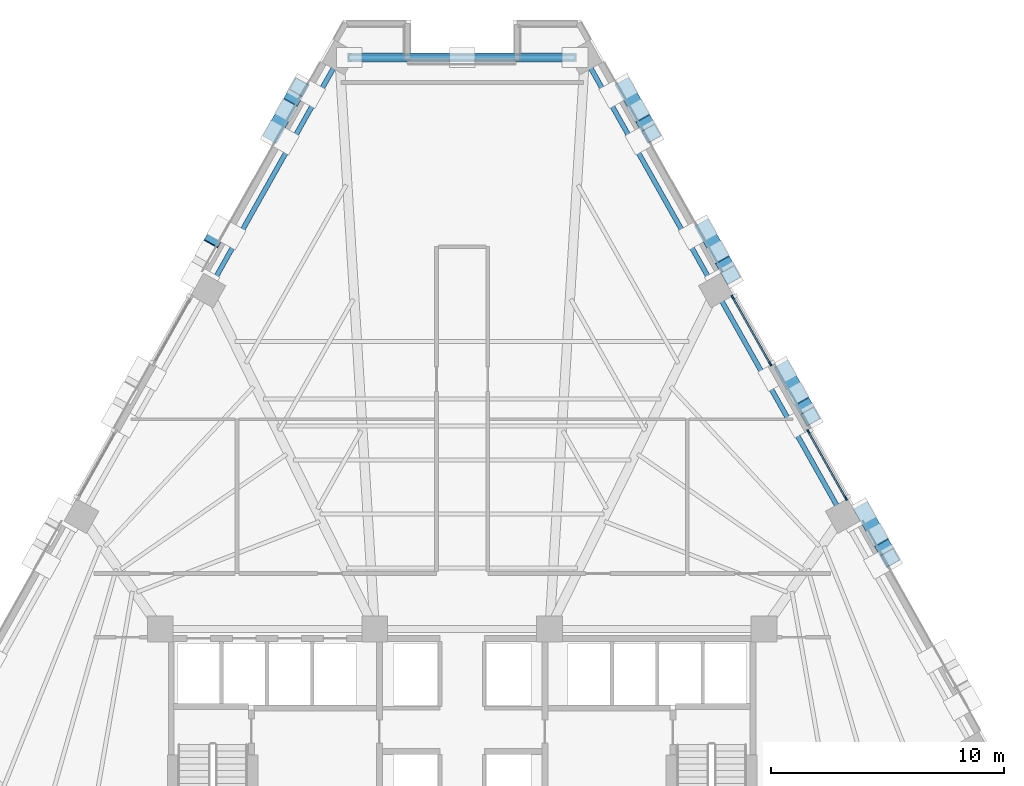
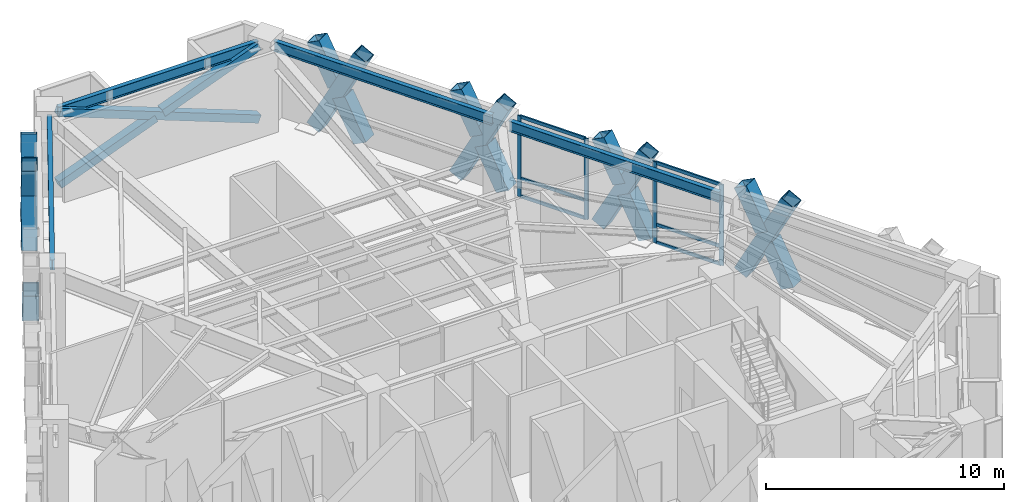
# One storey, part 4 of 12: 29 members, 4 beams, 2 elements without a shape of their own.
"""IFC4 building model written with IfcOpenShell, lengths in metres."""

from ifc_helpers import new_model, si_unit, direction, frame, origin, origin_2d, place, context, subcontext, project, spatial, rectangle, hollow_rectangle, i_section, extrude, material, material_profile, profile_set, type_object, element, aggregate, save


model = new_model("IFC4")

# Units and contexts
model_context = context("Model", 3, precision=1e-05, world=origin(), true_north=direction((0.0, 1.0)))
body_context = subcontext(model_context, "Body", "Model", "MODEL_VIEW")
ifc_project = project(units=[si_unit("LENGTHUNIT", "METRE"), si_unit("AREAUNIT", "SQUARE_METRE"), si_unit("VOLUMEUNIT", "CUBIC_METRE"), si_unit("PLANEANGLEUNIT", "RADIAN"), si_unit("MASSUNIT", "GRAM", prefix="KILO")], contexts=[model_context])

# Site, building, storey
site_placement = place(None, origin())
site = spatial("IfcSite", under=ifc_project, at=site_placement, CompositionType="ELEMENT")
building_placement = place(site_placement, origin())
building = spatial("IfcBuilding", under=site, at=building_placement, Name="Quenlor Broadcast Tower", CompositionType="ELEMENT")
storey_placement = place(building_placement, frame((0.0, 0.0, 90.60009765625)))
storey = spatial("IfcBuildingStorey", under=building, at=storey_placement, Name="L24", CompositionType="ELEMENT", Elevation=90.60009765625)

# Members
ifc_material_1 = material(Name="Steel S355", Category="steel")
ifc_material_profile_1 = material_profile(ifc_material_1, hollow_rectangle(XDim=0.39990234375, YDim=0.39990234375, WallThickness=0.02197265625, at=origin_2d()))
ifc_profile_set_1 = profile_set([ifc_material_profile_1], Name="Steel S355 RHS400x400x22")
member_type_1 = type_object("IfcMemberType", Name="Belt Truss Diagonal Chord Steel S355 RHS400x22", PredefinedType="CHORD", material=ifc_profile_set_1)
member_1_placement = place(storey_placement, frame((4.84228515625, 19.718994140625, 0.199951171875), z_axis=(-0.933179377941, 0.0, 0.359410974493), x_axis=(0.0, -1.0, 0.0)))
element("IfcMember", 1, at=member_1_placement, inside=storey, type_object=member_type_1, Name="L24 Belt Truss Continuous Chord 8A", PredefinedType="CHORD", context=body_context, shape_type="SweptSolid", body=[
    extrude(hollow_rectangle(XDim=0.39990234375, YDim=0.39990234375, WallThickness=0.02197265625, at=origin_2d()), origin(), (0.0, 0.0, 1.0), 10.3779296875),
])
for number, where, z_axis, x_axis, name in (
    (2, (4.84228515625, 19.718994140625, 3.929931640625), (-0.933185659182, 0.0, -0.359394665371), (0.0, -1.0, 0.0), "L24 Belt Truss Split Chord 8B1"),
    (3, (-0.17724609375, 19.718994140625, 1.99658203125), (-0.933185659182, 0.0, -0.359394665371), (0.0, -1.0, 0.0), "L24 Belt Truss Split Chord 8B2"),
):
    element("IfcMember", number, at=place(storey_placement, frame(where, z_axis=z_axis, x_axis=x_axis)), inside=storey, type_object=member_type_1, Name=name, PredefinedType="CHORD", context=body_context, shape_type="SweptSolid", body=[
        extrude(hollow_rectangle(XDim=0.39990234375, YDim=0.39990234375, WallThickness=0.02197265625, at=origin_2d()), origin(), (0.0, 0.0, 1.0), 4.9990234375),
    ])

# Curtain wall, members
ifc_material_2 = material(Name="Architectural Terracotta and Low-E Glazing", Category="masonry")
curtain_wall_type = type_object("IfcCurtainWallType", Name="Unitised Terracotta Curtain Wall System Z2", PredefinedType="NOTDEFINED", material=ifc_material_2)
curtain_wall_1_placement = place(storey_placement, origin())
curtain_wall_1 = element("IfcCurtainWall", 4, at=curtain_wall_1_placement, inside=storey, type_object=curtain_wall_type, Name="L24 Curtain Wall CW2 (L24-NE-G1)", PredefinedType="NOTDEFINED")
ifc_material_3 = material(Name="Aluminium 6063-T6", Category="aluminium")
ifc_material_profile_2 = material_profile(ifc_material_3, rectangle(XDim=0.074951171875, YDim=0.199951171875, at=origin_2d()))
ifc_profile_set_2 = profile_set([ifc_material_profile_2], Name="Aluminium 6063-T6 MULL75x200")
member_type_2 = type_object("IfcMemberType", Name="CW2 Aluminium Mullion MULL_CW2", PredefinedType="MULLION", material=ifc_profile_set_2)
member_2_placement = place(storey_placement, frame((11.611572265625, 9.430419921875, 0.0), z_axis=(0.0, 0.0, 1.0), x_axis=(0.871564359469, 0.490281110491, 0.0)))
member_2 = element("IfcMember", 5, at=member_2_placement, type_object=member_type_2, Name="CW2 mullion 1", PredefinedType="MULLION", context=body_context, shape_type="SweptSolid", body=[
    extrude(rectangle(XDim=0.074951171875, YDim=0.199951171875, at=origin_2d()), origin(), (0.0, 0.0, 1.0), 4.14990234375),
])
member_3_placement = place(storey_placement, frame((13.21484375, 6.58056640625, 0.0), z_axis=(0.0, 0.0, 1.0), x_axis=(0.871564359469, 0.490281110491, 0.0)))
member_3 = element("IfcMember", 6, at=member_3_placement, type_object=member_type_2, Name="CW2 mullion 2", PredefinedType="MULLION", context=body_context, shape_type="SweptSolid", body=[
    extrude(rectangle(XDim=0.074951171875, YDim=0.199951171875, at=origin_2d()), origin(), (0.0, 0.0, 1.0), 4.14990234375),
])

curtain_wall_2_placement = place(storey_placement, origin())
curtain_wall_2 = element("IfcCurtainWall", 7, at=curtain_wall_2_placement, inside=storey, type_object=curtain_wall_type, Name="L24 Curtain Wall CW2 (L24-NE-G2)", PredefinedType="NOTDEFINED")
member_4_placement = place(storey_placement, frame((14.856201171875, 3.66259765625, 0.0), z_axis=(0.0, 0.0, 1.0), x_axis=(0.871577133922, 0.490258400871, 0.0)))
member_4 = element("IfcMember", 8, at=member_4_placement, type_object=member_type_2, Name="CW2 mullion 1", PredefinedType="MULLION", context=body_context, shape_type="SweptSolid", body=[
    extrude(rectangle(XDim=0.074951171875, YDim=0.199951171875, at=origin_2d()), origin(), (0.0, 0.0, 1.0), 4.14990234375),
])
member_5_placement = place(storey_placement, frame((16.459228515625, 0.812744140625, 0.0), z_axis=(0.0, 0.0, 1.0), x_axis=(0.871577133922, 0.490258400871, 0.0)))
member_5 = element("IfcMember", 9, at=member_5_placement, type_object=member_type_2, Name="CW2 mullion 2", PredefinedType="MULLION", context=body_context, shape_type="SweptSolid", body=[
    extrude(rectangle(XDim=0.074951171875, YDim=0.199951171875, at=origin_2d()), origin(), (0.0, 0.0, 1.0), 4.14990234375),
])

# Member
ifc_material_4 = material(Name="Aluminium 6063-T6", Category="aluminium")
ifc_material_profile_3 = material_profile(ifc_material_4, rectangle(XDim=0.074951171875, YDim=0.1650390625, at=origin_2d()))
ifc_profile_set_3 = profile_set([ifc_material_profile_3], Name="Aluminium 6063-T6 TRAN75x165")
member_type_3 = type_object("IfcMemberType", Name="CW2 Aluminium Transom TRAN_CW2", PredefinedType="USERDEFINED", material=ifc_profile_set_3)
member_6_placement = place(storey_placement, frame((11.630126953125, 9.39794921875, 0.037353515625), z_axis=(0.490268495489, -0.871571455665, 0.0), x_axis=(0.871571455665, 0.490268495489, 0.0)))
member_6 = element("IfcMember", 10, at=member_6_placement, type_object=member_type_3, Name="CW2 transom 1.1", ObjectType="TRANSOM", PredefinedType="USERDEFINED", context=body_context, shape_type="SweptSolid", body=[
    extrude(rectangle(XDim=0.074951171875, YDim=0.1650390625, at=origin_2d()), origin(), (0.0, 0.0, 1.0), 3.195068359375),
])

member_7_placement = place(storey_placement, frame((11.630126953125, 9.39794921875, 0.949951171875), z_axis=(0.490268495489, -0.871571455665, 0.0), x_axis=(0.871571455665, 0.490268495489, 0.0)))
member_7 = element("IfcMember", 11, at=member_7_placement, type_object=member_type_3, Name="CW2 transom 1.2", ObjectType="TRANSOM", PredefinedType="USERDEFINED", context=body_context, shape_type="SweptSolid", body=[
    extrude(rectangle(XDim=0.074951171875, YDim=0.1650390625, at=origin_2d()), origin(), (0.0, 0.0, 1.0), 3.195068359375),
])

member_8_placement = place(storey_placement, frame((11.630126953125, 9.39794921875, 4.1123046875), z_axis=(0.490268495489, -0.871571455665, 0.0), x_axis=(0.871571455665, 0.490268495489, 0.0)))
member_8 = element("IfcMember", 12, at=member_8_placement, type_object=member_type_3, Name="CW2 transom 1.3", ObjectType="TRANSOM", PredefinedType="USERDEFINED", context=body_context, shape_type="SweptSolid", body=[
    extrude(rectangle(XDim=0.074951171875, YDim=0.1650390625, at=origin_2d()), origin(), (0.0, 0.0, 1.0), 3.195068359375),
])

aggregate(curtain_wall_1, [member_2, member_3, member_6, member_7, member_8])

member_9_placement = place(storey_placement, frame((14.87451171875, 3.630126953125, 0.037353515625), z_axis=(0.490268495489, -0.871571455665, 0.0), x_axis=(0.871571455665, 0.490268495489, 0.0)))
member_9 = element("IfcMember", 13, at=member_9_placement, type_object=member_type_3, Name="CW2 transom 1.1", ObjectType="TRANSOM", PredefinedType="USERDEFINED", context=body_context, shape_type="SweptSolid", body=[
    extrude(rectangle(XDim=0.074951171875, YDim=0.1650390625, at=origin_2d()), origin(), (0.0, 0.0, 1.0), 3.195068359375),
])

member_10_placement = place(storey_placement, frame((14.87451171875, 3.630126953125, 0.949951171875), z_axis=(0.490268495489, -0.871571455665, 0.0), x_axis=(0.871571455665, 0.490268495489, 0.0)))
member_10 = element("IfcMember", 14, at=member_10_placement, type_object=member_type_3, Name="CW2 transom 1.2", ObjectType="TRANSOM", PredefinedType="USERDEFINED", context=body_context, shape_type="SweptSolid", body=[
    extrude(rectangle(XDim=0.074951171875, YDim=0.1650390625, at=origin_2d()), origin(), (0.0, 0.0, 1.0), 3.195068359375),
])

member_11_placement = place(storey_placement, frame((14.87451171875, 3.630126953125, 4.1123046875), z_axis=(0.490268495489, -0.871571455665, 0.0), x_axis=(0.871571455665, 0.490268495489, 0.0)))
member_11 = element("IfcMember", 15, at=member_11_placement, type_object=member_type_3, Name="CW2 transom 1.3", ObjectType="TRANSOM", PredefinedType="USERDEFINED", context=body_context, shape_type="SweptSolid", body=[
    extrude(rectangle(XDim=0.074951171875, YDim=0.1650390625, at=origin_2d()), origin(), (0.0, 0.0, 1.0), 3.195068359375),
])

aggregate(curtain_wall_2, [member_4, member_5, member_9, member_10, member_11])

# Members
ifc_material_5 = material(Name="Steel S355", Category="steel")
ifc_material_profile_4 = material_profile(ifc_material_5, hollow_rectangle(XDim=0.679931640625, YDim=0.679931640625, WallThickness=0.030029296875, at=origin_2d()))
ifc_profile_set_4 = profile_set([ifc_material_profile_4], Name="Steel S355 RHS680x680x30")
member_type_4 = type_object("IfcMemberType", Name="Perimeter Diagonal Lattice Brace Z2 Steel S355 RHS680x30", PredefinedType="BRACE", material=ifc_profile_set_4)
member_12_placement = place(storey_placement, frame((6.99169921875, 18.44970703125, -0.1201171875), z_axis=(0.226505865382, -0.402770043048, 0.886832219403), x_axis=(0.871623880158, 0.490175286544, 0.0)))
element("IfcMember", 16, at=member_12_placement, inside=storey, type_object=member_type_4, Name="L24 Perimeter Diamond Lattice NE-C1XA", PredefinedType="BRACE", context=body_context, shape_type="SweptSolid", body=[
    extrude(hollow_rectangle(XDim=0.679931640625, YDim=0.679931640625, WallThickness=0.030029296875, at=origin_2d()), origin(), (0.0, 0.0, 1.0), 4.96142578125),
])
for number, where, z_axis, x_axis, name in (
    (17, (8.115478515625, 16.451416015625, -0.1201171875), (-0.226539850842, 0.40284695215, 0.88678860453), (-0.871632445721, -0.490160055051, 0.0), "L24 Perimeter Diamond Lattice NE-C1XB1"),
    (18, (7.4970703125, 17.55126953125, 2.301513671875), (-0.226549837696, 0.402755267015, 0.886827697995), (-0.871575537125, -0.490261239633, 0.0), "L24 Perimeter Diamond Lattice NE-C1XB2"),
):
    element("IfcMember", number, at=place(storey_placement, frame(where, z_axis=z_axis, x_axis=x_axis)), inside=storey, type_object=member_type_4, Name=name, PredefinedType="BRACE", context=body_context, shape_type="SweptSolid", body=[
        extrude(hollow_rectangle(XDim=0.679931640625, YDim=0.679931640625, WallThickness=0.030029296875, at=origin_2d()), origin(), (0.0, 0.0, 1.0), 2.230712890625),
    ])
member_13_placement = place(storey_placement, frame((10.40478515625, 12.382080078125, -0.1201171875), z_axis=(0.226552548286, -0.402765553372, 0.886822333888), x_axis=(0.871578380919, 0.490256183964, 0.0)))
element("IfcMember", 19, at=member_13_placement, inside=storey, type_object=member_type_4, Name="L24 Perimeter Diamond Lattice NE-C2XA", PredefinedType="BRACE", context=body_context, shape_type="SweptSolid", body=[
    extrude(hollow_rectangle(XDim=0.679931640625, YDim=0.679931640625, WallThickness=0.030029296875, at=origin_2d()), origin(), (0.0, 0.0, 1.0), 4.96142578125),
])
for number, where, z_axis, x_axis, name in (
    (20, (11.52880859375, 10.3837890625, -0.1201171875), (-0.226653660987, 0.402745278817, 0.886805704961), (-0.871474328146, -0.490441123258, 0.0), "L24 Perimeter Diamond Lattice NE-C2XB1"),
    (21, (10.91015625, 11.483642578125, 2.301513671875), (-0.226549837696, 0.402755267015, 0.886827697995), (-0.871575537125, -0.490261239633, 0.0), "L24 Perimeter Diamond Lattice NE-C2XB2"),
):
    element("IfcMember", number, at=place(storey_placement, frame(where, z_axis=z_axis, x_axis=x_axis)), inside=storey, type_object=member_type_4, Name=name, PredefinedType="BRACE", context=body_context, shape_type="SweptSolid", body=[
        extrude(hollow_rectangle(XDim=0.679931640625, YDim=0.679931640625, WallThickness=0.030029296875, at=origin_2d()), origin(), (0.0, 0.0, 1.0), 2.230712890625),
    ])
member_14_placement = place(storey_placement, frame((13.81787109375, 6.314453125, -0.1201171875), z_axis=(0.226552548286, -0.402765553372, 0.886822333888), x_axis=(0.871578380919, 0.490256183964, 0.0)))
element("IfcMember", 22, at=member_14_placement, inside=storey, type_object=member_type_4, Name="L24 Perimeter Diamond Lattice NE-C3XA", PredefinedType="BRACE", context=body_context, shape_type="SweptSolid", body=[
    extrude(hollow_rectangle(XDim=0.679931640625, YDim=0.679931640625, WallThickness=0.030029296875, at=origin_2d()), origin(), (0.0, 0.0, 1.0), 4.96142578125),
])
for number, where, z_axis, x_axis, name in (
    (23, (14.94189453125, 4.316162109375, -0.1201171875), (-0.226653660987, 0.402745278817, 0.886805704961), (-0.871474328146, -0.490441123258, 0.0), "L24 Perimeter Diamond Lattice NE-C3XB1"),
    (24, (14.3232421875, 5.416015625, 2.301513671875), (-0.226549837696, 0.402755267015, 0.886827697995), (-0.871575537125, -0.490261239633, 0.0), "L24 Perimeter Diamond Lattice NE-C3XB2"),
):
    element("IfcMember", number, at=place(storey_placement, frame(where, z_axis=z_axis, x_axis=x_axis)), inside=storey, type_object=member_type_4, Name=name, PredefinedType="BRACE", context=body_context, shape_type="SweptSolid", body=[
        extrude(hollow_rectangle(XDim=0.679931640625, YDim=0.679931640625, WallThickness=0.030029296875, at=origin_2d()), origin(), (0.0, 0.0, 1.0), 2.230712890625),
    ])
member_15_placement = place(storey_placement, frame((17.230712890625, 0.24658203125, -0.1201171875), z_axis=(0.22659922963, -0.402761062871, 0.886812446556), x_axis=(0.871532878923, 0.490337068716, 0.0)))
element("IfcMember", 25, at=member_15_placement, inside=storey, type_object=member_type_4, Name="L24 Perimeter Diamond Lattice NE-C4XA", PredefinedType="BRACE", context=body_context, shape_type="SweptSolid", body=[
    extrude(hollow_rectangle(XDim=0.679931640625, YDim=0.679931640625, WallThickness=0.030029296875, at=origin_2d()), origin(), (0.0, 0.0, 1.0), 4.96142578125),
])
for number, where, z_axis, x_axis, name in (
    (26, (18.35498046875, -1.751708984375, -0.1201171875), (-0.226539850842, 0.40284695215, 0.88678860453), (-0.871632445721, -0.490160055051, 0.0), "L24 Perimeter Diamond Lattice NE-C4XB1"),
    (27, (17.736083984375, -0.65185546875, 2.301513671875), (-0.226549837696, 0.402755267015, 0.886827697995), (-0.871575537125, -0.490261239633, 0.0), "L24 Perimeter Diamond Lattice NE-C4XB2"),
    (28, (-10.40478515625, 12.382080078125, -0.1201171875), (-0.226549837696, -0.402755267015, 0.886827697995), (0.871575537125, -0.490261239633, 0.0), "L24 Perimeter Diamond Lattice NW-C4XB1"),
):
    element("IfcMember", number, at=place(storey_placement, frame(where, z_axis=z_axis, x_axis=x_axis)), inside=storey, type_object=member_type_4, Name=name, PredefinedType="BRACE", context=body_context, shape_type="SweptSolid", body=[
        extrude(hollow_rectangle(XDim=0.679931640625, YDim=0.679931640625, WallThickness=0.030029296875, at=origin_2d()), origin(), (0.0, 0.0, 1.0), 2.230712890625),
    ])
member_16_placement = place(storey_placement, frame((-8.115478515625, 16.451416015625, -0.1201171875), z_axis=(0.226505865382, 0.402770043048, 0.886832219403), x_axis=(-0.871623880158, 0.490175286544, 0.0)))
element("IfcMember", 29, at=member_16_placement, inside=storey, type_object=member_type_4, Name="L24 Perimeter Diamond Lattice NW-C5XA", PredefinedType="BRACE", context=body_context, shape_type="SweptSolid", body=[
    extrude(hollow_rectangle(XDim=0.679931640625, YDim=0.679931640625, WallThickness=0.030029296875, at=origin_2d()), origin(), (0.0, 0.0, 1.0), 4.96142578125),
])
for number, where, z_axis, x_axis, name in (
    (30, (-6.99169921875, 18.44970703125, -0.1201171875), (-0.226549837696, -0.402755267015, 0.886827697995), (0.871575537125, -0.490261239633, 0.0), "L24 Perimeter Diamond Lattice NW-C5XB1"),
    (31, (-7.610107421875, 17.35009765625, 2.301513671875), (-0.226539850842, -0.40284695215, 0.88678860453), (0.871632445721, -0.490160055051, 0.0), "L24 Perimeter Diamond Lattice NW-C5XB2"),
):
    element("IfcMember", number, at=place(storey_placement, frame(where, z_axis=z_axis, x_axis=x_axis)), inside=storey, type_object=member_type_4, Name=name, PredefinedType="BRACE", context=body_context, shape_type="SweptSolid", body=[
        extrude(hollow_rectangle(XDim=0.679931640625, YDim=0.679931640625, WallThickness=0.030029296875, at=origin_2d()), origin(), (0.0, 0.0, 1.0), 2.230712890625),
    ])

# Beams
ifc_material_6 = material(Name="Steel S355", Category="steel")
ifc_material_profile_5 = material_profile(ifc_material_6, i_section(OverallWidth=0.208984375, OverallDepth=0.5283203125, WebThickness=0.009521484375, FlangeThickness=0.01318359375, FilletRadius=0.013916015625, at=origin_2d()))
ifc_profile_set_5 = profile_set([ifc_material_profile_5], Name="Steel S355 530UB82.0")
beam_type = type_object("IfcBeamType", Name="Perimeter Spandrel Beam Z2 Steel S355 530UB82.0", PredefinedType="SPANDREL", material=ifc_profile_set_5)
beam_1_placement = place(storey_placement, frame((16.129150390625, 0.400146484375, 3.8857421875), z_axis=(-0.49026462139, 0.871573634878, 0.0), x_axis=(-0.871573634878, -0.49026462139, 0.0)))
element("IfcBeam", 32, at=beam_1_placement, inside=storey, type_object=beam_type, Name="L24 Spandrel Beam NE2-NE3", PredefinedType="SPANDREL", context=body_context, shape_type="SweptSolid", body=[
    extrude(i_section(OverallWidth=0.208984375, OverallDepth=0.5283203125, WebThickness=0.009521484375, FlangeThickness=0.01318359375, FilletRadius=0.013916015625, at=origin_2d()), origin(), (0.0, 0.0, 1.0), 10.28271484375),
])
beam_2_placement = place(storey_placement, frame((10.685791015625, 10.076904296875, 3.8857421875), z_axis=(-0.490236213386, 0.871589613916, 0.0), x_axis=(-0.871589613916, -0.490236213386, 0.0)))
element("IfcBeam", 33, at=beam_2_placement, inside=storey, type_object=beam_type, Name="L24 Spandrel Beam NE3-NE4", PredefinedType="SPANDREL", context=body_context, shape_type="SweptSolid", body=[
    extrude(i_section(OverallWidth=0.208984375, OverallDepth=0.5283203125, WebThickness=0.009521484375, FlangeThickness=0.01318359375, FilletRadius=0.013916015625, at=origin_2d()), origin(), (0.0, 0.0, 1.0), 10.65283203125),
])
beam_3_placement = place(storey_placement, frame((4.852294921875, 19.718994140625, 3.8857421875), z_axis=(-1.0, 0.0, 0.0), x_axis=(0.0, -1.0, 0.0)))
element("IfcBeam", 34, at=beam_3_placement, inside=storey, type_object=beam_type, Name="L24 Spandrel Beam NE4-NW1", PredefinedType="SPANDREL", context=body_context, shape_type="SweptSolid", body=[
    extrude(i_section(OverallWidth=0.208984375, OverallDepth=0.5283203125, WebThickness=0.009521484375, FlangeThickness=0.01318359375, FilletRadius=0.013916015625, at=origin_2d()), origin(), (0.0, 0.0, 1.0), 9.70458984375),
])
beam_4_placement = place(storey_placement, frame((-5.46337890625, 19.36181640625, 3.8857421875), z_axis=(-0.490236213386, -0.871589613916, 0.0), x_axis=(0.871589613916, -0.490236213386, 0.0)))
element("IfcBeam", 35, at=beam_4_placement, inside=storey, type_object=beam_type, Name="L24 Spandrel Beam NW1-NW2", PredefinedType="SPANDREL", context=body_context, shape_type="SweptSolid", body=[
    extrude(i_section(OverallWidth=0.208984375, OverallDepth=0.5283203125, WebThickness=0.009521484375, FlangeThickness=0.01318359375, FilletRadius=0.013916015625, at=origin_2d()), origin(), (0.0, 0.0, 1.0), 10.65283203125),
])

save(model, "model.ifc")
